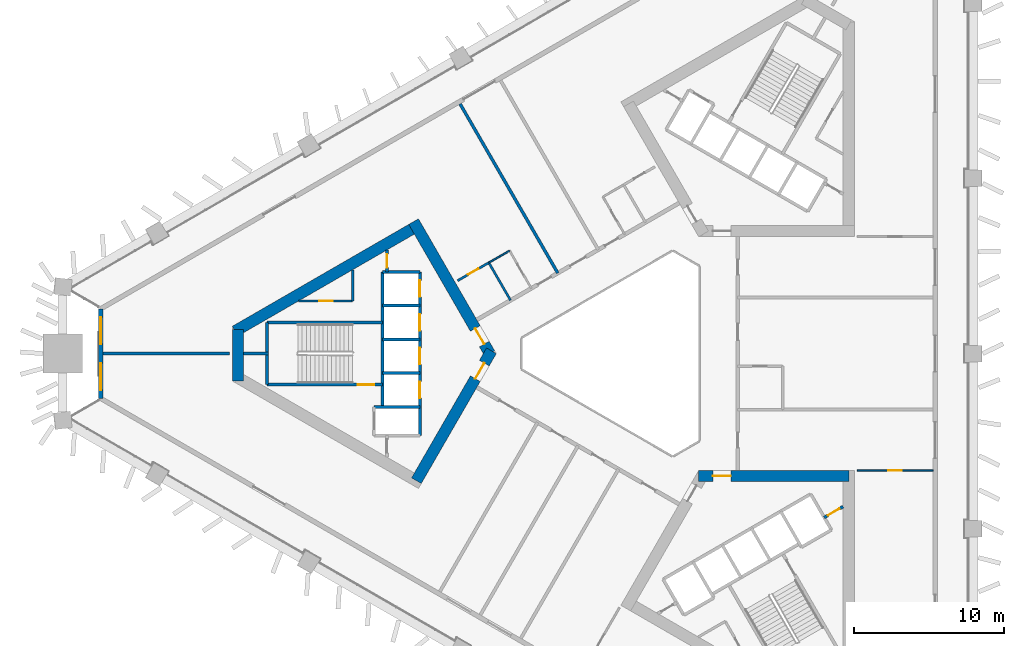
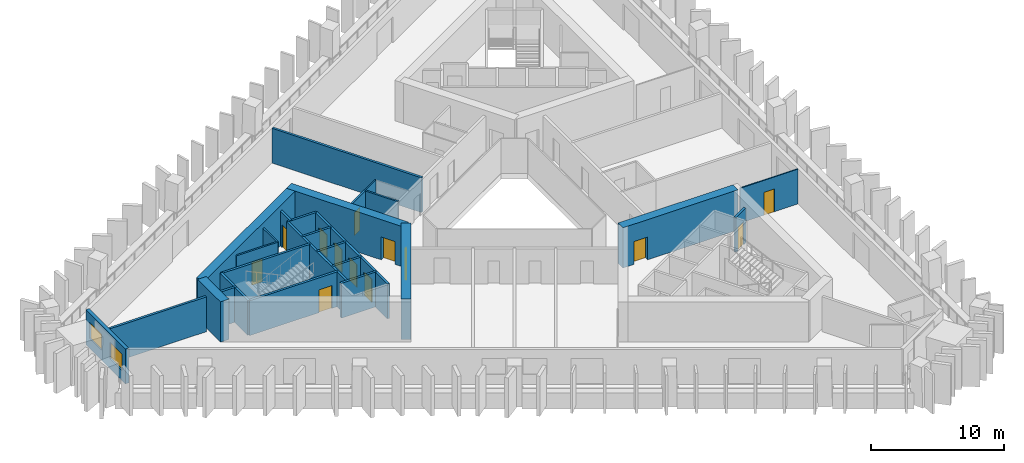
# One storey, part 4 of 11: 27 walls, 13 doors, 2 windows, 15 openings.
"""IFC4 building model written with IfcOpenShell, lengths in metres."""

from ifc_helpers import new_model, si_unit, direction, frame, frame_2d, origin, place, context, subcontext, project, spatial, rectangle, extrude, material, layer, layer_set, type_object, element, fill, save


model = new_model("IFC4")

# Units and contexts
model_context = context("Model", 3, precision=1e-05, world=origin(), true_north=direction((0.0, 1.0)))
body_context = subcontext(model_context, "Body", "Model", "MODEL_VIEW")
ifc_project = project(units=[si_unit("LENGTHUNIT", "METRE"), si_unit("AREAUNIT", "SQUARE_METRE"), si_unit("VOLUMEUNIT", "CUBIC_METRE"), si_unit("PLANEANGLEUNIT", "RADIAN"), si_unit("MASSUNIT", "GRAM", prefix="KILO")], contexts=[model_context])

# Site, building, storey
site_placement = place(None, origin())
site = spatial("IfcSite", under=ifc_project, at=site_placement, CompositionType="ELEMENT")
building_placement = place(site_placement, origin())
building = spatial("IfcBuilding", under=site, at=building_placement, Name="Jabali Bay Hotel Tower and Convention Centre", CompositionType="ELEMENT")
storey_placement = place(building_placement, frame((0.0, 0.0, 90.60009765625)))
storey = spatial("IfcBuildingStorey", under=building, at=storey_placement, Name="L21", CompositionType="ELEMENT", Elevation=90.60009765625)

# Wall
ifc_material_1 = material(Name="Concrete C40", Category="concrete")
ifc_layer_1 = layer(ifc_material_1, 0.199951171875)
ifc_layer_set_1 = layer_set([ifc_layer_1], Name="Concrete C40")
wall_type_1 = type_object("IfcWallType", Name="Core partition wall 200", PredefinedType="PARTITIONING", material=ifc_layer_set_1)
wall_1_placement = place(storey_placement, frame((50.820068359375, 80.0, 0.0), z_axis=(0.0, 0.0, 1.0), x_axis=(-1.0, 0.0, 0.0)))
element("IfcWall", 1, at=wall_1_placement, inside=storey, type_object=wall_type_1, Name="Core wall 0.5 L21", PredefinedType="PARTITIONING", context=body_context, shape_type="SweptSolid", body=[
    extrude(rectangle(XDim=1.673095703125, YDim=0.199951171875, at=frame_2d((0.83642578125, 0.0))), origin(), (0.0, 0.0, 1.0), 3.199951171875),
])

# Wall, opening, door
wall_2_placement = place(storey_placement, frame((58.719970703125, 86.916748046875, 0.0), z_axis=(0.0, 0.0, 1.0), x_axis=(0.0, -1.0, 0.0)))
wall_2 = element("IfcWall", 2, at=wall_2_placement, inside=storey, type_object=wall_type_1, Name="Core wall 0.11 L21", PredefinedType="PARTITIONING", context=body_context, shape_type="SweptSolid", body=[
    extrude(rectangle(XDim=1.466796875, YDim=0.199951171875, at=frame_2d((0.7333984375, 0.0))), origin(), (0.0, 0.0, 1.0), 3.199951171875),
])
opening_1_placement = place(wall_2_placement, frame((0.283447265625, 0.0, 0.0)))
opening_1 = element("IfcOpeningElement", 3, at=opening_1_placement, cuts=wall_2, Name="Opening D495", PredefinedType="OPENING", context=body_context, shape_type="SweptSolid", body=[
    extrude(rectangle(XDim=0.89990234375, YDim=2.10009765625, at=frame_2d((0.449951171875, 1.050048828125))), frame((0.0, 0.1103515625, 0.0), z_axis=(0.0, -1.0, 0.0), x_axis=(1.0, 0.0, 0.0)), (0.0, 0.0, 1.0), 0.220947265625),
])
ifc_material_2 = material(Name="Fire-rated steel door", Category="steel")
door_type_1 = type_object("IfcDoorType", Name="Vestibule fire door 900 x 2100", OperationType="NOTDEFINED", PredefinedType="NOTDEFINED", material=ifc_material_2)
door_1_placement = place(opening_1_placement, origin())
door_1 = element("IfcDoor", 4, at=door_1_placement, inside=storey, type_object=door_type_1, Name="Vestibule fire door D495", OperationType="SINGLE_SWING_LEFT", OverallHeight=2.10009765625, OverallWidth=0.89990234375, PredefinedType="NOTDEFINED", context=body_context, shape_type="SweptSolid", body=[
    extrude(rectangle(XDim=0.89990234375, YDim=2.10009765625, at=frame_2d((0.449951171875, 1.050048828125))), frame((0.0, 0.02490234375, 0.0), z_axis=(0.0, -1.0, 0.0), x_axis=(1.0, 0.0, 0.0)), (0.0, 0.0, 1.0), 0.050048828125),
])
fill(opening_1, door_1)

wall_3_placement = place(storey_placement, frame((87.86474609375, 69.067626953125, 0.0), z_axis=(0.0, 0.0, 1.0), x_axis=(0.865982457891, 0.500074377092, 0.0)))
wall_3 = element("IfcWall", 5, at=wall_3_placement, inside=storey, type_object=wall_type_1, Name="Core wall 2.12 L21", PredefinedType="PARTITIONING", context=body_context, shape_type="SweptSolid", body=[
    extrude(rectangle(XDim=1.461181640625, YDim=0.199951171875, at=frame_2d((0.73046875, 0.0))), origin(), (0.0, 0.0, 1.0), 3.199951171875),
])
opening_2_placement = place(wall_3_placement, frame((0.280517578125, 0.0, 0.0)))
opening_2 = element("IfcOpeningElement", 6, at=opening_2_placement, cuts=wall_3, Name="Opening D506", PredefinedType="OPENING", context=body_context, shape_type="SweptSolid", body=[
    extrude(rectangle(XDim=0.89990234375, YDim=2.10009765625, at=frame_2d((0.449951171875, 1.050048828125))), frame((0.0, 0.1103515625, 0.0), z_axis=(0.0, -1.0, 0.0), x_axis=(1.0, 0.0, 0.0)), (0.0, 0.0, 1.0), 0.220947265625),
])
door_2_placement = place(opening_2_placement, origin())
door_2 = element("IfcDoor", 7, at=door_2_placement, inside=storey, type_object=door_type_1, Name="Vestibule fire door D506", OperationType="SINGLE_SWING_LEFT", OverallHeight=2.10009765625, OverallWidth=0.89990234375, PredefinedType="NOTDEFINED", context=body_context, shape_type="SweptSolid", body=[
    extrude(rectangle(XDim=0.89990234375, YDim=2.10009765625, at=frame_2d((0.449951171875, 1.050048828125))), frame((0.0, 0.02490234375, 0.0), z_axis=(0.0, -1.0, 0.0), x_axis=(1.0, 0.0, 0.0)), (0.0, 0.0, 1.0), 0.050048828125),
])
fill(opening_2, door_2)

ifc_material_3 = material(Name="Fire-rated board partition")
ifc_layer_2 = layer(ifc_material_3, 0.14990234375)
ifc_layer_set_2 = layer_set([ifc_layer_2], Name="Fire-rated board partition")
wall_type_2 = type_object("IfcWallType", Name="Core room partition 150", PredefinedType="PARTITIONING", material=ifc_layer_set_2)
wall_4_placement = place(storey_placement, frame((56.419921875, 83.5, 0.0), z_axis=(0.0, 0.0, 1.0), x_axis=(-1.0, 0.0, 0.0)))
wall_4 = element("IfcWall", 8, at=wall_4_placement, inside=storey, type_object=wall_type_2, Name="Core wall 0.1 L21", PredefinedType="PARTITIONING", context=body_context, shape_type="SweptSolid", body=[
    extrude(rectangle(XDim=3.61767578125, YDim=0.14990234375, at=frame_2d((1.808837890625, 0.0))), origin(), (0.0, 0.0, 1.0), 3.199951171875),
])
opening_3_placement = place(wall_4_placement, frame((1.33154296875, 0.0, 0.0)))
opening_3 = element("IfcOpeningElement", 9, at=opening_3_placement, cuts=wall_4, Name="Opening D497", PredefinedType="OPENING", context=body_context, shape_type="SweptSolid", body=[
    extrude(rectangle(XDim=0.89990234375, YDim=2.10009765625, at=frame_2d((0.449951171875, 1.050048828125))), frame((0.0, 0.08544921875, 0.0), z_axis=(0.0, -1.0, 0.0), x_axis=(1.0, 0.0, 0.0)), (0.0, 0.0, 1.0), 0.1708984375),
])
door_type_2 = type_object("IfcDoorType", Name="Core room door 900 x 2100", OperationType="NOTDEFINED", PredefinedType="NOTDEFINED", material=ifc_material_2)
door_3_placement = place(opening_3_placement, origin())
door_3 = element("IfcDoor", 10, at=door_3_placement, inside=storey, type_object=door_type_2, Name="Core room door D497", OperationType="SINGLE_SWING_LEFT", OverallHeight=2.10009765625, OverallWidth=0.89990234375, PredefinedType="NOTDEFINED", context=body_context, shape_type="SweptSolid", body=[
    extrude(rectangle(XDim=0.89990234375, YDim=2.10009765625, at=frame_2d((0.449951171875, 1.050048828125))), frame((0.0, 0.02490234375, 0.0), z_axis=(0.0, -1.0, 0.0), x_axis=(1.0, 0.0, 0.0)), (0.0, 0.0, 1.0), 0.050048828125),
])
fill(opening_3, door_3)

# Walls
wall_5_placement = place(storey_placement, frame((56.419921875, 85.5888671875, 0.0), z_axis=(0.0, 0.0, 1.0), x_axis=(0.0, -1.0, 0.0)))
element("IfcWall", 11, at=wall_5_placement, inside=storey, type_object=wall_type_2, Name="Core wall 0.15 L21", PredefinedType="PARTITIONING", context=body_context, shape_type="SweptSolid", body=[
    extrude(rectangle(XDim=2.0888671875, YDim=0.14990234375, at=frame_2d((1.04443359375, 0.0))), origin(), (0.0, 0.0, 1.0), 3.199951171875),
])
ifc_layer_3 = layer(ifc_material_1, 0.199951171875)
ifc_layer_set_3 = layer_set([ifc_layer_3], Name="Concrete C40")
wall_type_3 = type_object("IfcWallType", Name="Core stair wall 200", PredefinedType="SOLIDWALL", material=ifc_layer_set_3)
for number, where, z_axis, x_axis, name in (
    (12, (60.89990234375, 85.449951171875, 0.0), (0.0, 0.0, 1.0), (-1.0, 0.0, 0.0), "Core wall 0.0 L21"),
    (13, (60.89990234375, 83.199951171875, 0.0), (0.0, 0.0, 1.0), (-1.0, 0.0, 0.0), "Core wall 0.2 L21"),
):
    element("IfcWall", number, at=place(storey_placement, frame(where, z_axis=z_axis, x_axis=x_axis)), inside=storey, type_object=wall_type_3, Name=name, PredefinedType="SOLIDWALL", context=body_context, shape_type="SweptSolid", body=[
        extrude(rectangle(XDim=2.47998046875, YDim=0.199951171875, at=frame_2d((1.239990234375, 0.0))), origin(), (0.0, 0.0, 1.0), 3.199951171875),
    ])
wall_6_placement = place(storey_placement, frame((58.419921875, 82.074951171875, 0.0), z_axis=(0.0, 0.0, 1.0), x_axis=(-1.0, 0.0, 0.0)))
element("IfcWall", 14, at=wall_6_placement, inside=storey, type_object=wall_type_3, Name="Core wall 0.3 L21", PredefinedType="SOLIDWALL", context=body_context, shape_type="SweptSolid", body=[
    extrude(rectangle(XDim=7.699951171875, YDim=0.199951171875, at=frame_2d((3.85009765625, 0.0))), origin(), (0.0, 0.0, 1.0), 3.199951171875),
])
for number, where, z_axis, x_axis, name in (
    (15, (60.89990234375, 80.949951171875, 0.0), (0.0, 0.0, 1.0), (-1.0, 0.0, 0.0), "Core wall 0.4 L21"),
    (16, (60.89990234375, 78.699951171875, 0.0), (0.0, 0.0, 1.0), (-1.0, 0.0, 0.0), "Core wall 0.6 L21"),
):
    element("IfcWall", number, at=place(storey_placement, frame(where, z_axis=z_axis, x_axis=x_axis)), inside=storey, type_object=wall_type_3, Name=name, PredefinedType="SOLIDWALL", context=body_context, shape_type="SweptSolid", body=[
        extrude(rectangle(XDim=2.47998046875, YDim=0.199951171875, at=frame_2d((1.239990234375, 0.0))), origin(), (0.0, 0.0, 1.0), 3.199951171875),
    ])

# Wall, opening, door
wall_7_placement = place(storey_placement, frame((58.419921875, 77.925048828125, 0.0), z_axis=(0.0, 0.0, 1.0), x_axis=(-1.0, 0.0, 0.0)))
wall_7 = element("IfcWall", 17, at=wall_7_placement, inside=storey, type_object=wall_type_3, Name="Core wall 0.7 L21", PredefinedType="SOLIDWALL", context=body_context, shape_type="SweptSolid", body=[
    extrude(rectangle(XDim=7.699951171875, YDim=0.199951171875, at=frame_2d((3.85009765625, 0.0))), origin(), (0.0, 0.0, 1.0), 3.199951171875),
])
opening_4_placement = place(wall_7_placement, frame((0.550048828125, 0.0, 0.0)))
opening_4 = element("IfcOpeningElement", 18, at=opening_4_placement, cuts=wall_7, Name="Opening D496", PredefinedType="OPENING", context=body_context, shape_type="SweptSolid", body=[
    extrude(rectangle(XDim=1.10009765625, YDim=2.10009765625, at=frame_2d((0.550048828125, 1.050048828125))), frame((0.0, 0.1103515625, 0.0), z_axis=(0.0, -1.0, 0.0), x_axis=(1.0, 0.0, 0.0)), (0.0, 0.0, 1.0), 0.220947265625),
])
door_type_3 = type_object("IfcDoorType", Name="Stair fire door 1100 x 2100", OperationType="NOTDEFINED", PredefinedType="NOTDEFINED", material=ifc_material_2)
door_4_placement = place(opening_4_placement, origin())
door_4 = element("IfcDoor", 19, at=door_4_placement, inside=storey, type_object=door_type_3, Name="Stair fire door D496", OperationType="SINGLE_SWING_RIGHT", OverallHeight=2.10009765625, OverallWidth=1.10009765625, PredefinedType="NOTDEFINED", context=body_context, shape_type="SweptSolid", body=[
    extrude(rectangle(XDim=1.10009765625, YDim=2.10009765625, at=frame_2d((0.550048828125, 1.050048828125))), frame((0.0, 0.02490234375, 0.0), z_axis=(0.0, -1.0, 0.0), x_axis=(1.0, 0.0, 0.0)), (0.0, 0.0, 1.0), 0.050048828125),
])
fill(opening_4, door_4)

# Wall
wall_8_placement = place(storey_placement, frame((60.89990234375, 76.449951171875, 0.0), z_axis=(0.0, 0.0, 1.0), x_axis=(-1.0, 0.0, 0.0)))
element("IfcWall", 20, at=wall_8_placement, inside=storey, type_object=wall_type_3, Name="Core wall 0.8 L21", PredefinedType="SOLIDWALL", context=body_context, shape_type="SweptSolid", body=[
    extrude(rectangle(XDim=3.0498046875, YDim=0.199951171875, at=frame_2d((1.52490234375, 0.0))), origin(), (0.0, 0.0, 1.0), 3.199951171875),
])

# Wall, openings, doors
wall_9_placement = place(storey_placement, frame((60.89990234375, 85.449951171875, 0.0), z_axis=(0.0, 0.0, 1.0), x_axis=(0.0, -1.0, 0.0)))
wall_9 = element("IfcWall", 21, at=wall_9_placement, inside=storey, type_object=wall_type_3, Name="Core wall 0.10 L21", PredefinedType="SOLIDWALL", context=body_context, shape_type="SweptSolid", body=[
    extrude(rectangle(XDim=10.89990234375, YDim=0.199951171875, at=frame_2d((5.449951171875, 0.0))), origin(), (0.0, 0.0, 1.0), 3.199951171875),
])
opening_5_placement = place(wall_9_placement, frame((0.574951171875, 0.0, 0.0)))
opening_5 = element("IfcOpeningElement", 22, at=opening_5_placement, cuts=wall_9, Name="Opening LD1-L21", PredefinedType="OPENING", context=body_context, shape_type="SweptSolid", body=[
    extrude(rectangle(XDim=1.10009765625, YDim=2.10009765625, at=frame_2d((0.550048828125, 1.050048828125))), frame((0.0, 0.1103515625, 0.0), z_axis=(0.0, -1.0, 0.0), x_axis=(1.0, 0.0, 0.0)), (0.0, 0.0, 1.0), 0.220947265625),
])
opening_6_placement = place(wall_9_placement, frame((2.824951171875, 0.0, 0.0)))
opening_6 = element("IfcOpeningElement", 23, at=opening_6_placement, cuts=wall_9, Name="Opening LD2-L21", PredefinedType="OPENING", context=body_context, shape_type="SweptSolid", body=[
    extrude(rectangle(XDim=1.10009765625, YDim=2.10009765625, at=frame_2d((0.550048828125, 1.050048828125))), frame((0.0, 0.1103515625, 0.0), z_axis=(0.0, -1.0, 0.0), x_axis=(1.0, 0.0, 0.0)), (0.0, 0.0, 1.0), 0.220947265625),
])
opening_7_placement = place(wall_9_placement, frame((5.074951171875, 0.0, 0.0)))
opening_7 = element("IfcOpeningElement", 24, at=opening_7_placement, cuts=wall_9, Name="Opening LD3-L21", PredefinedType="OPENING", context=body_context, shape_type="SweptSolid", body=[
    extrude(rectangle(XDim=1.10009765625, YDim=2.10009765625, at=frame_2d((0.550048828125, 1.050048828125))), frame((0.0, 0.1103515625, 0.0), z_axis=(0.0, -1.0, 0.0), x_axis=(1.0, 0.0, 0.0)), (0.0, 0.0, 1.0), 0.220947265625),
])
opening_8_placement = place(wall_9_placement, frame((7.324951171875, 0.0, 0.0)))
opening_8 = element("IfcOpeningElement", 25, at=opening_8_placement, cuts=wall_9, Name="Opening LD4-L21", PredefinedType="OPENING", context=body_context, shape_type="SweptSolid", body=[
    extrude(rectangle(XDim=1.10009765625, YDim=2.10009765625, at=frame_2d((0.550048828125, 1.050048828125))), frame((0.0, 0.1103515625, 0.0), z_axis=(0.0, -1.0, 0.0), x_axis=(1.0, 0.0, 0.0)), (0.0, 0.0, 1.0), 0.220947265625),
])
ifc_material_4 = material(Name="Stainless steel landing door", Category="steel")
door_type_4 = type_object("IfcDoorType", Name="Landing door 1100 x 2100", OperationType="NOTDEFINED", PredefinedType="NOTDEFINED", material=ifc_material_4)
door_5_placement = place(opening_5_placement, origin())
door_5 = element("IfcDoor", 26, at=door_5_placement, inside=storey, type_object=door_type_4, Name="Landing doors LD1-L21", OperationType="SLIDING_TO_RIGHT", OverallHeight=2.10009765625, OverallWidth=1.10009765625, PredefinedType="NOTDEFINED", context=body_context, shape_type="SweptSolid", body=[
    extrude(rectangle(XDim=1.10009765625, YDim=2.10009765625, at=frame_2d((0.550048828125, 1.050048828125))), frame((0.0, 0.02490234375, 0.0), z_axis=(0.0, -1.0, 0.0), x_axis=(1.0, 0.0, 0.0)), (0.0, 0.0, 1.0), 0.050048828125),
])
fill(opening_5, door_5)
door_6_placement = place(opening_6_placement, origin())
door_6 = element("IfcDoor", 27, at=door_6_placement, inside=storey, type_object=door_type_4, Name="Landing doors LD2-L21", OperationType="SLIDING_TO_LEFT", OverallHeight=2.10009765625, OverallWidth=1.10009765625, PredefinedType="NOTDEFINED", context=body_context, shape_type="SweptSolid", body=[
    extrude(rectangle(XDim=1.10009765625, YDim=2.10009765625, at=frame_2d((0.550048828125, 1.050048828125))), frame((0.0, 0.02490234375, 0.0), z_axis=(0.0, -1.0, 0.0), x_axis=(1.0, 0.0, 0.0)), (0.0, 0.0, 1.0), 0.050048828125),
])
fill(opening_6, door_6)
door_7_placement = place(opening_7_placement, origin())
door_7 = element("IfcDoor", 28, at=door_7_placement, inside=storey, type_object=door_type_4, Name="Landing doors LD3-L21", OperationType="SLIDING_TO_RIGHT", OverallHeight=2.10009765625, OverallWidth=1.10009765625, PredefinedType="NOTDEFINED", context=body_context, shape_type="SweptSolid", body=[
    extrude(rectangle(XDim=1.10009765625, YDim=2.10009765625, at=frame_2d((0.550048828125, 1.050048828125))), frame((0.0, 0.02490234375, 0.0), z_axis=(0.0, -1.0, 0.0), x_axis=(1.0, 0.0, 0.0)), (0.0, 0.0, 1.0), 0.050048828125),
])
fill(opening_7, door_7)
door_8_placement = place(opening_8_placement, origin())
door_8 = element("IfcDoor", 29, at=door_8_placement, inside=storey, type_object=door_type_4, Name="Landing doors LD4-L21", OperationType="SLIDING_TO_LEFT", OverallHeight=2.10009765625, OverallWidth=1.10009765625, PredefinedType="NOTDEFINED", context=body_context, shape_type="SweptSolid", body=[
    extrude(rectangle(XDim=1.10009765625, YDim=2.10009765625, at=frame_2d((0.550048828125, 1.050048828125))), frame((0.0, 0.02490234375, 0.0), z_axis=(0.0, -1.0, 0.0), x_axis=(1.0, 0.0, 0.0)), (0.0, 0.0, 1.0), 0.050048828125),
])
fill(opening_8, door_8)

# Walls
wall_10_placement = place(storey_placement, frame((58.419921875, 85.449951171875, 0.0), z_axis=(0.0, 0.0, 1.0), x_axis=(0.0, -1.0, 0.0)))
element("IfcWall", 30, at=wall_10_placement, inside=storey, type_object=wall_type_3, Name="Core wall 0.13 L21", PredefinedType="SOLIDWALL", context=body_context, shape_type="SweptSolid", body=[
    extrude(rectangle(XDim=9.0, YDim=0.199951171875, at=frame_2d((4.5, 0.0))), origin(), (0.0, 0.0, 1.0), 3.199951171875),
])
wall_11_placement = place(storey_placement, frame((50.719970703125, 82.074951171875, 0.0), z_axis=(0.0, 0.0, 1.0), x_axis=(0.0, -1.0, 0.0)))
element("IfcWall", 31, at=wall_11_placement, inside=storey, type_object=wall_type_3, Name="Core wall 0.16 L21", PredefinedType="SOLIDWALL", context=body_context, shape_type="SweptSolid", body=[
    extrude(rectangle(XDim=4.14990234375, YDim=0.199951171875, at=frame_2d((2.074951171875, 0.0))), origin(), (0.0, 0.0, 1.0), 3.199951171875),
])

# Wall, opening, door
ifc_material_5 = material(Name="Concrete C60", Category="concrete")
ifc_layer_4 = layer(ifc_material_5, 0.75)
ifc_layer_set_4 = layer_set([ifc_layer_4], Name="Concrete C60")
wall_type_4 = type_object("IfcWallType", Name="Core wall 750", PredefinedType="SHEAR", material=ifc_layer_set_4)
wall_12_placement = place(storey_placement, frame((65.56689453125, 80.0, 0.0), z_axis=(0.0, 0.0, 1.0), x_axis=(-0.499988615364, 0.866031976607, 0.0)))
wall_12 = element("IfcWall", 32, at=wall_12_placement, inside=storey, type_object=wall_type_4, Name="Core wall 1.1 L21", PredefinedType="SHEAR", context=body_context, shape_type="SweptSolid", body=[
    extrude(rectangle(XDim=10.163330078125, YDim=0.75, at=frame_2d((5.08154296875, 0.0))), origin(), (0.0, 0.0, 1.0), 3.699951171875),
])
opening_9_placement = place(wall_12_placement, frame((0.7333984375, 0.0, 0.0)))
opening_9 = element("IfcOpeningElement", 33, at=opening_9_placement, cuts=wall_12, Name="Opening D492", PredefinedType="OPENING", context=body_context, shape_type="SweptSolid", body=[
    extrude(rectangle(XDim=1.199951171875, YDim=2.10009765625, at=frame_2d((0.60009765625, 1.050048828125))), frame((0.0, 0.385498046875, 0.0), z_axis=(0.0, -1.0, 0.0), x_axis=(1.0, 0.0, 0.0)), (0.0, 0.0, 1.0), 0.77099609375),
])
door_type_5 = type_object("IfcDoorType", Name="Corridor end fire door 1200 x 2100", OperationType="NOTDEFINED", PredefinedType="NOTDEFINED", material=ifc_material_2)
door_9_placement = place(opening_9_placement, origin())
door_9 = element("IfcDoor", 34, at=door_9_placement, inside=storey, type_object=door_type_5, Name="Corridor end fire door D492", OperationType="SINGLE_SWING_RIGHT", OverallHeight=2.10009765625, OverallWidth=1.199951171875, PredefinedType="NOTDEFINED", context=body_context, shape_type="SweptSolid", body=[
    extrude(rectangle(XDim=1.199951171875, YDim=2.10009765625, at=frame_2d((0.60009765625, 1.050048828125))), frame((0.0, 0.02490234375, 0.0), z_axis=(0.0, -1.0, 0.0), x_axis=(1.0, 0.0, 0.0)), (0.0, 0.0, 1.0), 0.050048828125),
])
fill(opening_9, door_9)

# Walls
wall_13_placement = place(storey_placement, frame((60.6728515625, 88.47705078125, 0.0), z_axis=(0.0, 0.0, 1.0), x_axis=(-0.8660248072, -0.500001033313, 0.0)))
element("IfcWall", 35, at=wall_13_placement, inside=storey, type_object=wall_type_4, Name="Core wall 1.2 L21", PredefinedType="SHEAR", context=body_context, shape_type="SweptSolid", body=[
    extrude(rectangle(XDim=13.95849609375, YDim=0.75, at=frame_2d((6.979248046875, 0.0))), origin(), (0.0, 0.0, 1.0), 3.699951171875),
])
wall_14_placement = place(storey_placement, frame((48.77197265625, 81.606201171875, 0.0), z_axis=(0.0, 0.0, 1.0), x_axis=(0.0, -1.0, 0.0)))
element("IfcWall", 36, at=wall_14_placement, inside=storey, type_object=wall_type_4, Name="Core wall 1.3 L21", PredefinedType="SHEAR", context=body_context, shape_type="SweptSolid", body=[
    extrude(rectangle(XDim=3.428955078125, YDim=0.75, at=frame_2d((1.71435546875, 0.0))), origin(), (0.0, 0.0, 1.0), 3.699951171875),
])

# Wall, opening, door
wall_15_placement = place(storey_placement, frame((60.6728515625, 71.52294921875, 0.0), z_axis=(0.0, 0.0, 1.0), x_axis=(0.499997052475, 0.866027105532, 0.0)))
wall_15 = element("IfcWall", 37, at=wall_15_placement, inside=storey, type_object=wall_type_4, Name="Core wall 1.5 L21", PredefinedType="SHEAR", context=body_context, shape_type="SweptSolid", body=[
    extrude(rectangle(XDim=10.0048828125, YDim=0.75, at=frame_2d((5.00244140625, 0.0))), origin(), (0.0, 0.0, 1.0), 3.699951171875),
])
opening_10_placement = place(wall_15_placement, frame((7.85498046875, 0.0, 0.0)))
opening_10 = element("IfcOpeningElement", 38, at=opening_10_placement, cuts=wall_15, Name="Opening D493", PredefinedType="OPENING", context=body_context, shape_type="SweptSolid", body=[
    extrude(rectangle(XDim=1.199951171875, YDim=2.10009765625, at=frame_2d((0.60009765625, 1.050048828125))), frame((0.0, 0.385498046875, 0.0), z_axis=(0.0, -1.0, 0.0), x_axis=(1.0, 0.0, 0.0)), (0.0, 0.0, 1.0), 0.77099609375),
])
door_10_placement = place(opening_10_placement, origin())
door_10 = element("IfcDoor", 39, at=door_10_placement, inside=storey, type_object=door_type_5, Name="Corridor end fire door D493", OperationType="SINGLE_SWING_LEFT", OverallHeight=2.10009765625, OverallWidth=1.199951171875, PredefinedType="NOTDEFINED", context=body_context, shape_type="SweptSolid", body=[
    extrude(rectangle(XDim=1.199951171875, YDim=2.10009765625, at=frame_2d((0.60009765625, 1.050048828125))), frame((0.0, 0.02490234375, 0.0), z_axis=(0.0, -1.0, 0.0), x_axis=(1.0, 0.0, 0.0)), (0.0, 0.0, 1.0), 0.050048828125),
])
fill(opening_10, door_10)

wall_16_placement = place(storey_placement, frame((89.5048828125, 71.830810546875, 0.0), z_axis=(0.0, 0.0, 1.0), x_axis=(-1.0, 0.0, 0.0)))
wall_16 = element("IfcWall", 40, at=wall_16_placement, inside=storey, type_object=wall_type_4, Name="Core wall 3.5 L21", PredefinedType="SHEAR", context=body_context, shape_type="SweptSolid", body=[
    extrude(rectangle(XDim=10.0048828125, YDim=0.75, at=frame_2d((5.00244140625, 0.0))), origin(), (0.0, 0.0, 1.0), 3.699951171875),
])
opening_11_placement = place(wall_16_placement, frame((7.85498046875, 0.0, 0.0)))
opening_11 = element("IfcOpeningElement", 41, at=opening_11_placement, cuts=wall_16, Name="Opening D505", PredefinedType="OPENING", context=body_context, shape_type="SweptSolid", body=[
    extrude(rectangle(XDim=1.199951171875, YDim=2.10009765625, at=frame_2d((0.60009765625, 1.050048828125))), frame((0.0, 0.385498046875, 0.0), z_axis=(0.0, -1.0, 0.0), x_axis=(1.0, 0.0, 0.0)), (0.0, 0.0, 1.0), 0.77099609375),
])
door_11_placement = place(opening_11_placement, origin())
door_11 = element("IfcDoor", 42, at=door_11_placement, inside=storey, type_object=door_type_5, Name="Corridor end fire door D505", OperationType="SINGLE_SWING_LEFT", OverallHeight=2.10009765625, OverallWidth=1.199951171875, PredefinedType="NOTDEFINED", context=body_context, shape_type="SweptSolid", body=[
    extrude(rectangle(XDim=1.199951171875, YDim=2.10009765625, at=frame_2d((0.60009765625, 1.050048828125))), frame((0.0, 0.02490234375, 0.0), z_axis=(0.0, -1.0, 0.0), x_axis=(1.0, 0.0, 0.0)), (0.0, 0.0, 1.0), 0.050048828125),
])
fill(opening_11, door_11)

# Wall, openings, windows
ifc_layer_5 = layer(ifc_material_1, 0.300048828125)
ifc_layer_set_5 = layer_set([ifc_layer_5], Name="Concrete C40")
wall_type_5 = type_object("IfcWallType", Name="External wall 300", PredefinedType="SOLIDWALL", material=ifc_layer_set_5)
wall_17_placement = place(storey_placement, frame((39.614013671875, 77.016845703125, 0.0), z_axis=(0.0, 0.0, 1.0), x_axis=(0.0, 1.0, 0.0)))
wall_17 = element("IfcWall", 43, at=wall_17_placement, inside=storey, type_object=wall_type_5, Name="External wall west chamfer L21", PredefinedType="SOLIDWALL", context=body_context, shape_type="SweptSolid", body=[
    extrude(rectangle(XDim=5.96630859375, YDim=0.300048828125, at=frame_2d((2.983154296875, 0.0))), origin(), (0.0, 0.0, 1.0), 3.199951171875),
])
opening_12_placement = place(wall_17_placement, frame((0.548828125, 0.0, 0.89990234375)))
opening_12 = element("IfcOpeningElement", 44, at=opening_12_placement, cuts=wall_17, Name="Opening W1", PredefinedType="OPENING", context=body_context, shape_type="SweptSolid", body=[
    extrude(rectangle(XDim=1.800048828125, YDim=1.5, at=frame_2d((0.89990234375, 0.75))), frame((0.0, 0.16064453125, 0.0), z_axis=(0.0, -1.0, 0.0), x_axis=(1.0, 0.0, 0.0)), (0.0, 0.0, 1.0), 0.321044921875),
])
opening_13_placement = place(wall_17_placement, frame((3.617431640625, 0.0, 0.89990234375)))
opening_13 = element("IfcOpeningElement", 45, at=opening_13_placement, cuts=wall_17, Name="Opening W1", PredefinedType="OPENING", context=body_context, shape_type="SweptSolid", body=[
    extrude(rectangle(XDim=1.800048828125, YDim=1.5, at=frame_2d((0.89990234375, 0.75))), frame((0.0, 0.16064453125, 0.0), z_axis=(0.0, -1.0, 0.0), x_axis=(1.0, 0.0, 0.0)), (0.0, 0.0, 1.0), 0.321044921875),
])
ifc_material_6 = material(Name="Glass", Category="glass")
window_type = type_object("IfcWindowType", Name="Window 1800 x 1500", PartitioningType="SINGLE_PANEL", PredefinedType="WINDOW", material=ifc_material_6)
window_1_placement = place(opening_12_placement, origin())
window_1 = element("IfcWindow", 46, at=window_1_placement, inside=storey, type_object=window_type, Name="Window 2106", OverallHeight=1.5, OverallWidth=1.800048828125, PartitioningType="SINGLE_PANEL", PredefinedType="WINDOW", context=body_context, shape_type="SweptSolid", body=[
    extrude(rectangle(XDim=1.800048828125, YDim=1.5, at=frame_2d((0.89990234375, 0.75))), frame((0.0, 0.030029296875, 0.0), z_axis=(0.0, -1.0, 0.0), x_axis=(1.0, 0.0, 0.0)), (0.0, 0.0, 1.0), 0.06005859375),
])
fill(opening_12, window_1)
window_2_placement = place(opening_13_placement, origin())
window_2 = element("IfcWindow", 47, at=window_2_placement, inside=storey, type_object=window_type, Name="Window 2105", OverallHeight=1.5, OverallWidth=1.800048828125, PartitioningType="SINGLE_PANEL", PredefinedType="WINDOW", context=body_context, shape_type="SweptSolid", body=[
    extrude(rectangle(XDim=1.800048828125, YDim=1.5, at=frame_2d((0.89990234375, 0.75))), frame((0.0, 0.030029296875, 0.0), z_axis=(0.0, -1.0, 0.0), x_axis=(1.0, 0.0, 0.0)), (0.0, 0.0, 1.0), 0.06005859375),
])
fill(opening_13, window_2)

# Wall, opening, door
ifc_material_7 = material(Name="Plasterboard on steel stud", Category="steel")
ifc_layer_6 = layer(ifc_material_7, 0.10009765625)
ifc_layer_set_6 = layer_set([ifc_layer_6], Name="Plasterboard on steel stud")
wall_type_6 = type_object("IfcWallType", Name="Partition 100 unit", PredefinedType="PARTITIONING", material=ifc_layer_set_6)
wall_18_placement = place(storey_placement, frame((90.0791015625, 72.205810546875, 0.0), z_axis=(0.0, 0.0, 1.0), x_axis=(1.0, 0.0, 0.0)))
wall_18 = element("IfcWall", 48, at=wall_18_placement, inside=storey, type_object=wall_type_6, Name="Partition P02 L21 001", PredefinedType="PARTITIONING", context=body_context, shape_type="SweptSolid", body=[
    extrude(rectangle(XDim=5.04833984375, YDim=0.10009765625, at=frame_2d((2.524169921875, 0.0))), origin(), (0.0, 0.0, 1.0), 3.199951171875),
])
opening_14_placement = place(wall_18_placement, frame((2.073974609375, 0.0, 0.0)))
opening_14 = element("IfcOpeningElement", 49, at=opening_14_placement, cuts=wall_18, Name="Opening 2102", PredefinedType="OPENING", context=body_context, shape_type="SweptSolid", body=[
    extrude(rectangle(XDim=0.89990234375, YDim=2.10009765625, at=frame_2d((0.449951171875, 1.050048828125))), frame((0.0, 0.060546875, 0.0), z_axis=(0.0, -1.0, 0.0), x_axis=(1.0, 0.0, 0.0)), (0.0, 0.0, 1.0), 0.12109375),
])
ifc_material_8 = material(Name="Timber", Category="wood")
door_type_6 = type_object("IfcDoorType", Name="Internal door 900 x 2100", OperationType="NOTDEFINED", PredefinedType="NOTDEFINED", material=ifc_material_8)
door_12_placement = place(opening_14_placement, origin())
door_12 = element("IfcDoor", 50, at=door_12_placement, inside=storey, type_object=door_type_6, Name="Door 2102", OperationType="SINGLE_SWING_LEFT", OverallHeight=2.10009765625, OverallWidth=0.89990234375, PredefinedType="NOTDEFINED", context=body_context, shape_type="SweptSolid", body=[
    extrude(rectangle(XDim=0.89990234375, YDim=2.10009765625, at=frame_2d((0.449951171875, 1.050048828125))), frame((0.0, 0.02490234375, 0.0), z_axis=(0.0, -1.0, 0.0), x_axis=(1.0, 0.0, 0.0)), (0.0, 0.0, 1.0), 0.050048828125),
])
fill(opening_14, door_12)

# Wall
wall_19_placement = place(storey_placement, frame((65.501708984375, 86.063232421875, 0.0), z_axis=(0.0, 0.0, 1.0), x_axis=(0.866055983265, 0.499947031044, 0.0)))
element("IfcWall", 51, at=wall_19_placement, inside=storey, type_object=wall_type_6, Name="Partition P02 L21 023", PredefinedType="PARTITIONING", context=body_context, shape_type="SweptSolid", body=[
    extrude(rectangle(XDim=1.599853515625, YDim=0.10009765625, at=frame_2d((0.7998046875, 0.0))), origin(), (0.0, 0.0, 1.0), 3.199951171875),
])

# Wall, opening, door
ifc_layer_7 = layer(ifc_material_7, 0.14990234375)
ifc_layer_set_7 = layer_set([ifc_layer_7], Name="Plasterboard on steel stud")
wall_type_7 = type_object("IfcWallType", Name="Partition 150 wet", PredefinedType="PARTITIONING", material=ifc_layer_set_7)
wall_20_placement = place(storey_placement, frame((63.42236328125, 84.862548828125, 0.0), z_axis=(0.0, 0.0, 1.0), x_axis=(0.865994240961, 0.500053971709, 0.0)))
wall_20 = element("IfcWall", 52, at=wall_20_placement, inside=storey, type_object=wall_type_7, Name="Partition P03 L21 022", PredefinedType="PARTITIONING", context=body_context, shape_type="SweptSolid", body=[
    extrude(rectangle(XDim=2.401123046875, YDim=0.14990234375, at=frame_2d((1.20068359375, 0.0))), origin(), (0.0, 0.0, 1.0), 3.199951171875),
])
opening_15_placement = place(wall_20_placement, frame((0.801025390625, 0.0, 0.0)))
opening_15 = element("IfcOpeningElement", 53, at=opening_15_placement, cuts=wall_20, Name="Opening 2113", PredefinedType="OPENING", context=body_context, shape_type="SweptSolid", body=[
    extrude(rectangle(XDim=0.800048828125, YDim=2.10009765625, at=frame_2d((0.39990234375, 1.050048828125))), frame((0.0, 0.08544921875, 0.0), z_axis=(0.0, -1.0, 0.0), x_axis=(1.0, 0.0, 0.0)), (0.0, 0.0, 1.0), 0.1708984375),
])
door_type_7 = type_object("IfcDoorType", Name="En-suite door 800 x 2100", OperationType="NOTDEFINED", PredefinedType="NOTDEFINED", material=ifc_material_8)
door_13_placement = place(opening_15_placement, origin())
door_13 = element("IfcDoor", 54, at=door_13_placement, inside=storey, type_object=door_type_7, Name="Door 2113", OperationType="SINGLE_SWING_LEFT", OverallHeight=2.10009765625, OverallWidth=0.800048828125, PredefinedType="NOTDEFINED", context=body_context, shape_type="SweptSolid", body=[
    extrude(rectangle(XDim=0.800048828125, YDim=2.10009765625, at=frame_2d((0.39990234375, 1.050048828125))), frame((0.0, 0.02490234375, 0.0), z_axis=(0.0, -1.0, 0.0), x_axis=(1.0, 0.0, 0.0)), (0.0, 0.0, 1.0), 0.050048828125),
])
fill(opening_15, door_13)

# Walls
wall_21_placement = place(storey_placement, frame((66.95166015625, 83.5517578125, 0.0), z_axis=(0.0, 0.0, 1.0), x_axis=(-0.499987231761, 0.866032775405, 0.0)))
element("IfcWall", 55, at=wall_21_placement, inside=storey, type_object=wall_type_7, Name="Partition P03 L21 026", PredefinedType="PARTITIONING", context=body_context, shape_type="SweptSolid", body=[
    extrude(rectangle(XDim=2.89990234375, YDim=0.14990234375, at=frame_2d((1.449951171875, 0.0))), origin(), (0.0, 0.0, 1.0), 3.199951171875),
])
ifc_layer_8 = layer(ifc_material_7, 0.199951171875)
ifc_layer_set_8 = layer_set([ifc_layer_8], Name="Plasterboard on steel stud")
wall_type_8 = type_object("IfcWallType", Name="Partition 200 party", PredefinedType="PARTITIONING", material=ifc_layer_set_8)
wall_22_placement = place(storey_placement, frame((63.586181640625, 96.651611328125, 0.0), z_axis=(0.0, 0.0, 1.0), x_axis=(0.50000687801, -0.866021432727, 0.0)))
element("IfcWall", 56, at=wall_22_placement, inside=storey, type_object=wall_type_8, Name="Partition P01 L21 021", PredefinedType="PARTITIONING", context=body_context, shape_type="SweptSolid", body=[
    extrude(rectangle(XDim=13.027587890625, YDim=0.199951171875, at=frame_2d((6.513671875, 0.0))), origin(), (0.0, 0.0, 1.0), 3.199951171875),
])
wall_23_placement = place(storey_placement, frame((39.762939453125, 80.0009765625, 0.0), z_axis=(0.0, 0.0, 1.0), x_axis=(1.0, 0.0, 0.0)))
element("IfcWall", 57, at=wall_23_placement, inside=storey, type_object=wall_type_8, Name="Partition P01 L21 025", PredefinedType="PARTITIONING", context=body_context, shape_type="SweptSolid", body=[
    extrude(rectangle(XDim=8.43505859375, YDim=0.199951171875, at=frame_2d((4.217529296875, 0.0))), origin(), (0.0, 0.0, 1.0), 3.199951171875),
])

save(model, "model.ifc")
